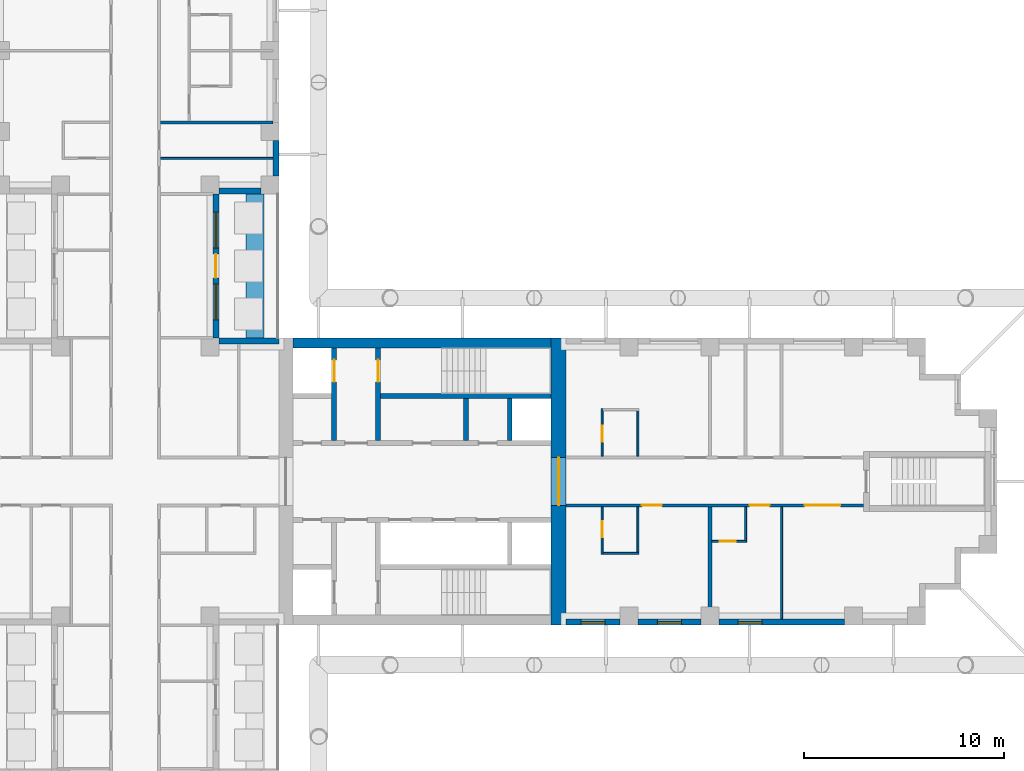
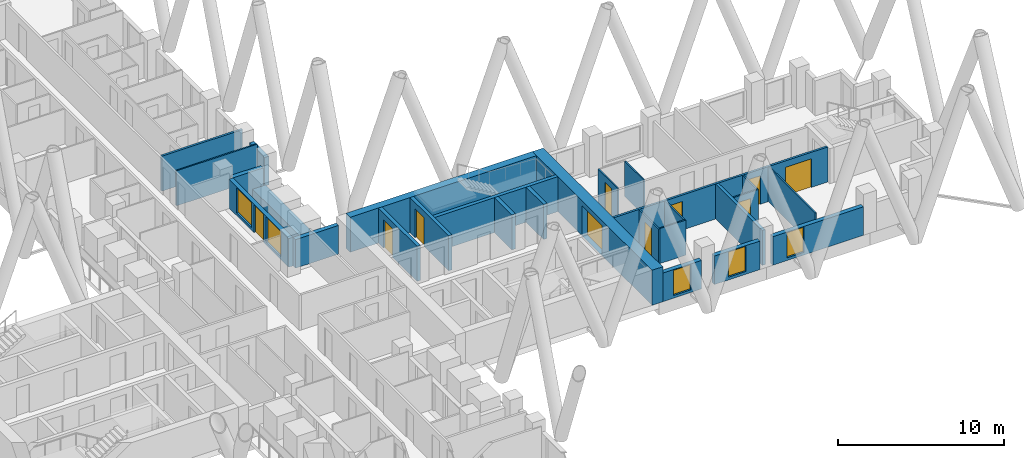
# One storey, part 10 of 17: 27 walls, 10 doors, 5 windows, 15 openings.
"""IFC4 building model written with IfcOpenShell, lengths in metres."""

import ifcopenshell
import ifcopenshell.guid

model = None  # the IFC model being written
_history = None  # IfcOwnerHistory: only IFC2X3 demands one
_inside = {}  # id of a spatial element -> (the spatial element, [elements in it])
_under = {}  # id of a project, library or spatial element -> (it, [spatial elements below it])
_declared = {}  # id of a project -> (the project, [libraries it declares])
_typed = {}  # id of a type object -> (the type object, [elements of that type])
_made_of = {}  # id of a material, layer set ... -> (it, [elements and type objects made of it])


def new_model(schema):
    """Start an empty IFC model of exactly this schema.

    Asked for "IFC4X3", IfcOpenShell would pick the latest addendum, in which some entities
    have other attributes; the version numbers below select the first issue.
    IFC2X3 requires an IfcOwnerHistory on every rooted entity: one is made here for all.
    """
    global model, _history
    if schema == "IFC4X3":
        model = ifcopenshell.file(schema_version=(4, 3, 0, 0))
    else:
        model = ifcopenshell.file(schema=schema)
    _inside.clear()
    _under.clear()
    _declared.clear()
    _typed.clear()
    _made_of.clear()
    _history = None
    if model.schema == "IFC2X3":
        org = make("IfcOrganization", Name="unknown")
        user = make(
            "IfcPersonAndOrganization",
            ThePerson=make("IfcPerson", FamilyName="unknown"),
            TheOrganization=org,
        )
        app = make(
            "IfcApplication",
            ApplicationDeveloper=org,
            Version="unknown",
            ApplicationFullName="unknown",
            ApplicationIdentifier="unknown",
        )
        _history = make(
            "IfcOwnerHistory",
            OwningUser=user,
            OwningApplication=app,
            ChangeAction="ADDED",
            CreationDate=0,
        )
    return model


def make(cls, **values):
    """One entity of the class cls with the attributes given. An attribute that is None is left unset."""
    return model.create_entity(
        cls, **{name: value for name, value in values.items() if value is not None}
    )


def rooted(cls, **values):
    """An entity with a GlobalId (a new one), such as an element, a storey or a relation."""
    return make(cls, GlobalId=ifcopenshell.guid.new(), OwnerHistory=_history, **values)


def si_unit(unit_type, name, prefix=None):
    """IfcSIUnit, for example si_unit("LENGTHUNIT", "METRE", prefix="MILLI")."""
    return make("IfcSIUnit", UnitType=unit_type, Prefix=prefix, Name=name)


def assignment(units):
    """IfcUnitAssignment: the units of a project."""
    return None if units is None else make("IfcUnitAssignment", Units=units)


def point(xyz):
    """IfcCartesianPoint."""
    return None if xyz is None else make("IfcCartesianPoint", Coordinates=xyz)


def direction(xyz):
    """IfcDirection."""
    return None if xyz is None else make("IfcDirection", DirectionRatios=xyz)


def frame(location, z_axis=None, x_axis=None):
    """IfcAxis2Placement3D, a coordinate frame: its origin and axes. An axis left out is left unset."""
    return make(
        "IfcAxis2Placement3D",
        Location=point(location),
        Axis=direction(z_axis),
        RefDirection=direction(x_axis),
    )


def frame_2d(location, x_axis=None):
    """IfcAxis2Placement2D, a coordinate frame in the plane: its origin and x axis."""
    return make(
        "IfcAxis2Placement2D", Location=point(location), RefDirection=direction(x_axis)
    )


def origin():
    """The frame at (0, 0, 0) with its axes left unset."""
    return frame((0.0, 0.0, 0.0))


def place(relative_to, where):
    """IfcLocalPlacement: puts the frame where relative to a parent placement (None: the world)."""
    return make(
        "IfcLocalPlacement", PlacementRelTo=relative_to, RelativePlacement=where
    )


def context(
    kind, dimensions, precision=None, world=None, true_north=None, identifier=None
):
    """IfcGeometricRepresentationContext, for example the 3D "Model" context."""
    return make(
        "IfcGeometricRepresentationContext",
        ContextIdentifier=identifier,
        ContextType=kind,
        CoordinateSpaceDimension=dimensions,
        Precision=precision,
        WorldCoordinateSystem=world,
        TrueNorth=true_north,
    )


def subcontext(parent, identifier, kind, view, scale=None):
    """IfcGeometricRepresentationSubContext, for example "Body" below "Model"."""
    return make(
        "IfcGeometricRepresentationSubContext",
        ContextIdentifier=identifier,
        ContextType=kind,
        ParentContext=parent,
        TargetScale=scale,
        TargetView=view,
    )


def project(units=None, contexts=None):
    """IfcProject with its units and contexts."""
    return rooted(
        "IfcProject",
        Name="project",
        RepresentationContexts=contexts,
        UnitsInContext=assignment(units),
    )


def spatial(cls, under=None, at=None, **own):
    """A site, building, storey or space (cls), placed at a placement, below another one or the project."""
    s = rooted(cls, ObjectPlacement=at, **own)
    if under is not None:
        _under.setdefault(under.id(), (under, []))[1].append(s)
    return s


def profile(cls, at=None, kind="AREA", **sizes):
    """A parametric profile (cls). Its sizes go by their IFC names, for example OverallWidth=200.0."""
    return make(cls, ProfileType=kind, Position=at, **sizes)


def rectangle(**sizes):
    """IfcRectangleProfileDef."""
    return profile("IfcRectangleProfileDef", **sizes)


def extrude(swept, where, along, depth):
    """IfcExtrudedAreaSolid: the profile swept, set in the frame where, extruded along a direction by depth."""
    return make(
        "IfcExtrudedAreaSolid",
        SweptArea=swept,
        Position=where,
        ExtrudedDirection=direction(along),
        Depth=depth,
    )


def shape(context_of_items, identifier, shape_type, items):
    """IfcShapeRepresentation: the items that make up one representation, for example the "Body"."""
    return make(
        "IfcShapeRepresentation",
        ContextOfItems=context_of_items,
        RepresentationIdentifier=identifier,
        RepresentationType=shape_type,
        Items=items,
    )


def material(Name=None, Category=None):
    """IfcMaterial."""
    return make("IfcMaterial", Name=Name, Category=Category)


def layer(
    of_material, thickness, ventilated=None, Name=None, Category=None, Priority=None
):
    """IfcMaterialLayer: one layer of a wall or slab, of a material (None: an air gap)."""
    return make(
        "IfcMaterialLayer",
        Material=of_material,
        LayerThickness=thickness,
        IsVentilated=ventilated,
        Name=Name,
        Category=Category,
        Priority=Priority,
    )


def layer_set(layers, Name=None):
    """IfcMaterialLayerSet."""
    return make("IfcMaterialLayerSet", MaterialLayers=layers, LayerSetName=Name)


def made_of(thing, what):
    """Note that an element or type object is made of a material, layer set ...; save() writes the relation."""
    if what is not None:
        _made_of.setdefault(what.id(), (what, []))[1].append(thing)
    return thing


def type_object(cls, material=None, **own):
    """A type object (cls), such as IfcWallType, which elements share."""
    return made_of(rooted(cls, **own), material)


def element(
    cls,
    number,
    at=None,
    inside=None,
    cuts=None,
    type_object=None,
    material=None,
    context=None,
    identifier="Body",
    shape_type=None,
    held_by="IfcProductDefinitionShape",
    body=None,
    shapes=None,
    **own,
):
    """One element of the class cls, such as IfcWall. Its Tag is "e" and its number.

    at: its placement. inside: the storey or other place that contains it. cuts: it is an
    opening in that element (IfcRelVoidsElement). A single representation is given by context,
    identifier, shape_type and body (its items); several are given by shapes. held_by: the class
    of the entity that holds the representations. save() writes the other relations.
    """
    e = rooted(cls, Tag="e%d" % number, ObjectPlacement=at, **own)
    if body is not None:
        shapes = [shape(context, identifier, shape_type, body)]
    if shapes is not None:
        e.Representation = make(held_by, Representations=shapes)
    if inside is not None:
        _inside.setdefault(inside.id(), (inside, []))[1].append(e)
    if cuts is not None:
        rooted(
            "IfcRelVoidsElement", RelatingBuildingElement=cuts, RelatedOpeningElement=e
        )
    if type_object is not None:
        _typed.setdefault(type_object.id(), (type_object, []))[1].append(e)
    return made_of(e, material)


def fill(opening, filler):
    """IfcRelFillsElement: the door or window that sits in an opening."""
    return rooted(
        "IfcRelFillsElement",
        RelatingOpeningElement=opening,
        RelatedBuildingElement=filler,
    )


def aggregate(whole, parts):
    """IfcRelAggregates: a whole, such as a stair, and the parts it consists of."""
    return rooted("IfcRelAggregates", RelatingObject=whole, RelatedObjects=parts)


def save(model, path):
    """Write the relations noted so far, then the file.

    IfcRelAggregates (storeys below a building ...), IfcRelContainedInSpatialStructure (elements
    in a storey), IfcRelDefinesByType, IfcRelAssociatesMaterial and IfcRelDeclares: one each for
    every whole, place, type object, material and project.
    """
    for whole, parts in _under.values():
        aggregate(whole, parts)
    for where, things in _inside.values():
        rooted(
            "IfcRelContainedInSpatialStructure",
            RelatedElements=things,
            RelatingStructure=where,
        )
    for kind, things in _typed.values():
        rooted("IfcRelDefinesByType", RelatedObjects=things, RelatingType=kind)
    for what, things in _made_of.values():
        rooted("IfcRelAssociatesMaterial", RelatedObjects=things, RelatingMaterial=what)
    for by, libraries in _declared.values():
        rooted("IfcRelDeclares", RelatingContext=by, RelatedDefinitions=libraries)
    model.write(path)


model = new_model("IFC4")

# Units and contexts
model_context = context("Model", 3, precision=1e-05, world=origin(), true_north=direction((0.0, 1.0)))
body_context = subcontext(model_context, "Body", "Model", "MODEL_VIEW")
ifc_project = project(units=[si_unit("LENGTHUNIT", "METRE"), si_unit("AREAUNIT", "SQUARE_METRE"), si_unit("VOLUMEUNIT", "CUBIC_METRE"), si_unit("PLANEANGLEUNIT", "RADIAN"), si_unit("MASSUNIT", "GRAM", prefix="KILO")], contexts=[model_context])

# Site, building, storey
site_placement = place(None, origin())
site = spatial("IfcSite", under=ifc_project, at=site_placement, CompositionType="ELEMENT")
building_placement = place(site_placement, origin())
building = spatial("IfcBuilding", under=site, at=building_placement, Name="Fustian Cross Tower", CompositionType="ELEMENT")
storey_placement = place(building_placement, frame((0.0, 0.0, 56.699951171875)))
storey = spatial("IfcBuildingStorey", under=building, at=storey_placement, Name="L17", CompositionType="ELEMENT", Elevation=56.699951171875)

# Wall
ifc_material_1 = material(Name="Plasterboard on steel stud", Category="steel")
ifc_layer_1 = layer(ifc_material_1, 0.14990234375)
ifc_layer_set_1 = layer_set([ifc_layer_1], Name="Plasterboard on steel stud")
wall_type_1 = type_object("IfcWallType", Name="COMPARTMENT WALL 150 EI 60", PredefinedType="PARTITIONING", material=ifc_layer_set_1)
wall_1_placement = place(storey_placement, frame((1.27490234375, 18.0, 0.0), z_axis=(0.0, 0.0, 1.0), x_axis=(1.0, 0.0, 0.0)))
element("IfcWall", 1, at=wall_1_placement, inside=storey, type_object=wall_type_1, Name="Partition 62", PredefinedType="PARTITIONING", context=body_context, shape_type="SweptSolid", body=[
    extrude(rectangle(XDim=5.625, YDim=0.14990234375, at=frame_2d((2.8125, 0.0))), origin(), (0.0, 0.0, 1.0), 2.574951171875),
])

# Wall, openings, doors
wall_2_placement = place(storey_placement, frame((21.60009765625, -1.199951171875, 0.0), z_axis=(0.0, 0.0, 1.0), x_axis=(1.0, 0.0, 0.0)))
wall_2 = element("IfcWall", 2, at=wall_2_placement, inside=storey, type_object=wall_type_1, Name="Partition 88", PredefinedType="PARTITIONING", context=body_context, shape_type="SweptSolid", body=[
    extrude(rectangle(XDim=14.89990234375, YDim=0.14990234375, at=frame_2d((7.449951171875, 0.0))), origin(), (0.0, 0.0, 1.0), 2.574951171875),
])
opening_1_placement = place(wall_2_placement, frame((3.800048828125, 0.0, 0.0)))
opening_1 = element("IfcOpeningElement", 3, at=opening_1_placement, cuts=wall_2, Name="Opening D09018", PredefinedType="OPENING", context=body_context, shape_type="SweptSolid", body=[
    extrude(rectangle(XDim=1.0, YDim=2.10009765625, at=frame_2d((0.5, 1.050048828125))), frame((0.0, 0.0849609375, 0.0), z_axis=(0.0, -1.0, 0.0), x_axis=(1.0, 0.0, 0.0)), (0.0, 0.0, 1.0), 0.169921875),
])
opening_2_placement = place(wall_2_placement, frame((9.199951171875, 0.0, 0.0)))
opening_2 = element("IfcOpeningElement", 4, at=opening_2_placement, cuts=wall_2, Name="Opening D09020", PredefinedType="OPENING", context=body_context, shape_type="SweptSolid", body=[
    extrude(rectangle(XDim=1.0, YDim=2.10009765625, at=frame_2d((0.5, 1.050048828125))), frame((0.0, 0.0849609375, 0.0), z_axis=(0.0, -1.0, 0.0), x_axis=(1.0, 0.0, 0.0)), (0.0, 0.0, 1.0), 0.169921875),
])
opening_3_placement = place(wall_2_placement, frame((11.949951171875, 0.0, 0.0)))
opening_3 = element("IfcOpeningElement", 5, at=opening_3_placement, cuts=wall_2, Name="Opening D09021", PredefinedType="OPENING", context=body_context, shape_type="SweptSolid", body=[
    extrude(rectangle(XDim=1.800048828125, YDim=2.10009765625, at=frame_2d((0.89990234375, 1.050048828125))), frame((0.0, 0.0849609375, 0.0), z_axis=(0.0, -1.0, 0.0), x_axis=(1.0, 0.0, 0.0)), (0.0, 0.0, 1.0), 0.169921875),
])
ifc_material_2 = material(Name="Timber fire door set", Category="wood")
door_type_1 = type_object("IfcDoorType", Name="FIRE DOUBLE DOOR 1800 FD30S", OperationType="DOUBLE_DOOR_DOUBLE_SWING", PredefinedType="DOOR", material=ifc_material_2)
door_1_placement = place(opening_3_placement, origin())
door_1 = element("IfcDoor", 6, at=door_1_placement, inside=storey, type_object=door_type_1, Name="Door D09021", OperationType="DOUBLE_DOOR_DOUBLE_SWING", OverallHeight=2.10009765625, OverallWidth=1.800048828125, PredefinedType="DOOR", context=body_context, shape_type="SweptSolid", body=[
    extrude(rectangle(XDim=1.800048828125, YDim=2.10009765625, at=frame_2d((0.89990234375, 1.050048828125))), frame((0.0, 0.02490234375, 0.0), z_axis=(0.0, -1.0, 0.0), x_axis=(1.0, 0.0, 0.0)), (0.0, 0.0, 1.0), 0.050048828125),
])
fill(opening_3, door_1)
ifc_material_3 = material(Name="Timber fire door set", Category="wood")
door_type_2 = type_object("IfcDoorType", Name="FIRE SWING DOOR 1000 FD30S", OperationType="SINGLE_SWING_LEFT", PredefinedType="DOOR", material=ifc_material_3)
door_2_placement = place(opening_1_placement, frame((1.0, 0.0, 0.0), z_axis=(0.0, 0.0, 1.0), x_axis=(-1.0, 0.0, 0.0)))
door_2 = element("IfcDoor", 7, at=door_2_placement, inside=storey, type_object=door_type_2, Name="Door D09018", OperationType="SINGLE_SWING_RIGHT", OverallHeight=2.10009765625, OverallWidth=1.0, PredefinedType="DOOR", context=body_context, shape_type="SweptSolid", body=[
    extrude(rectangle(XDim=1.0, YDim=2.10009765625, at=frame_2d((0.5, 1.050048828125))), frame((0.0, 0.02490234375, 0.0), z_axis=(0.0, -1.0, 0.0), x_axis=(1.0, 0.0, 0.0)), (0.0, 0.0, 1.0), 0.050048828125),
])
fill(opening_1, door_2)
door_3_placement = place(opening_2_placement, frame((1.0, 0.0, 0.0), z_axis=(0.0, 0.0, 1.0), x_axis=(-1.0, 0.0, 0.0)))
door_3 = element("IfcDoor", 8, at=door_3_placement, inside=storey, type_object=door_type_2, Name="Door D09020", OperationType="SINGLE_SWING_RIGHT", OverallHeight=2.10009765625, OverallWidth=1.0, PredefinedType="DOOR", context=body_context, shape_type="SweptSolid", body=[
    extrude(rectangle(XDim=1.0, YDim=2.10009765625, at=frame_2d((0.5, 1.050048828125))), frame((0.0, 0.02490234375, 0.0), z_axis=(0.0, -1.0, 0.0), x_axis=(1.0, 0.0, 0.0)), (0.0, 0.0, 1.0), 0.050048828125),
])
fill(opening_2, door_3)

# Wall, opening, door
ifc_material_4 = material(Name="Concrete C80/95", Category="concrete")
ifc_layer_2 = layer(ifc_material_4, 0.75)
ifc_layer_set_2 = layer_set([ifc_layer_2], Name="Concrete C80/95")
wall_type_2 = type_object("IfcWallType", Name="CORE END WALL 750 C80/95", PredefinedType="SHEAR", material=ifc_layer_set_2)
wall_3_placement = place(storey_placement, frame((21.22509765625, -7.199951171875, 0.0), z_axis=(0.0, 0.0, 1.0), x_axis=(0.0, 1.0, 0.0)))
wall_3 = element("IfcWall", 9, at=wall_3_placement, inside=storey, type_object=wall_type_2, Name="Core end wall", PredefinedType="SHEAR", context=body_context, shape_type="SweptSolid", body=[
    extrude(rectangle(XDim=14.39990234375, YDim=0.75, at=frame_2d((7.199951171875, 0.0))), origin(), (0.0, 0.0, 1.0), 2.574951171875),
])
opening_4_placement = place(wall_3_placement, frame((6.0, 0.0, 0.0)))
opening_4 = element("IfcOpeningElement", 10, at=opening_4_placement, cuts=wall_3, Name="Opening CD-06-13", PredefinedType="OPENING", context=body_context, shape_type="SweptSolid", body=[
    extrude(rectangle(XDim=2.39990234375, YDim=2.199951171875, at=frame_2d((1.199951171875, 1.10009765625))), frame((0.0, 0.385009765625, 0.0), z_axis=(0.0, -1.0, 0.0), x_axis=(1.0, 0.0, 0.0)), (0.0, 0.0, 1.0), 0.77001953125),
])
ifc_material_5 = material(Name="Steel", Category="steel")
door_type_3 = type_object("IfcDoorType", Name="FIRE DOOR FD30S DOUBLE 2400X2200", OperationType="DOUBLE_DOOR_DOUBLE_SWING", PredefinedType="DOOR", material=ifc_material_5)
door_4_placement = place(opening_4_placement, origin())
door_4 = element("IfcDoor", 11, at=door_4_placement, inside=storey, type_object=door_type_3, Name="Core door CD-06-13", OperationType="DOUBLE_DOOR_DOUBLE_SWING", OverallHeight=2.199951171875, OverallWidth=2.39990234375, PredefinedType="DOOR", context=body_context, shape_type="SweptSolid", body=[
    extrude(rectangle(XDim=2.39990234375, YDim=2.199951171875, at=frame_2d((1.199951171875, 1.10009765625))), frame((0.0, 0.02490234375, 0.0), z_axis=(0.0, -1.0, 0.0), x_axis=(1.0, 0.0, 0.0)), (0.0, 0.0, 1.0), 0.050048828125),
])
fill(opening_4, door_4)

# Walls
ifc_material_6 = material(Name="Concrete C80/95", Category="concrete")
ifc_layer_3 = layer(ifc_material_6, 0.5)
ifc_layer_set_3 = layer_set([ifc_layer_3], Name="Concrete C80/95")
wall_type_3 = type_object("IfcWallType", Name="CORE FACADE WALL 500 C80/95", PredefinedType="SHEAR", material=ifc_layer_set_3)
wall_4_placement = place(storey_placement, frame((7.89990234375, 6.949951171875, 0.0), z_axis=(0.0, 0.0, 1.0), x_axis=(1.0, 0.0, 0.0)))
element("IfcWall", 12, at=wall_4_placement, inside=storey, type_object=wall_type_3, Name="Core facade wall", PredefinedType="SHEAR", context=body_context, shape_type="SweptSolid", body=[
    extrude(rectangle(XDim=12.9501953125, YDim=0.5, at=frame_2d((6.47509765625, 0.0))), origin(), (0.0, 0.0, 1.0), 2.574951171875),
])
ifc_material_7 = material(Name="Concrete C50/60", Category="concrete")
ifc_layer_4 = layer(ifc_material_7, 0.25)
ifc_layer_set_4 = layer_set([ifc_layer_4], Name="Concrete C50/60")
wall_type_4 = type_object("IfcWallType", Name="CORE SHAFT WALL 250 C50/60", PredefinedType="SHEAR", material=ifc_layer_set_4)
wall_5_placement = place(storey_placement, frame((12.300048828125, 4.27490234375, 0.0), z_axis=(0.0, 0.0, 1.0), x_axis=(1.0, 0.0, 0.0)))
element("IfcWall", 13, at=wall_5_placement, inside=storey, type_object=wall_type_4, Name="Core shaft wall", PredefinedType="SHEAR", context=body_context, shape_type="SweptSolid", body=[
    extrude(rectangle(XDim=8.550048828125, YDim=0.25, at=frame_2d((4.27490234375, 0.0))), origin(), (0.0, 0.0, 1.0), 2.574951171875),
])

# Wall, opening, door
wall_6_placement = place(storey_placement, frame((9.97509765625, 2.050048828125, 0.0), z_axis=(0.0, 0.0, 1.0), x_axis=(0.0, 1.0, 0.0)))
wall_6 = element("IfcWall", 14, at=wall_6_placement, inside=storey, type_object=wall_type_4, Name="Core shaft wall", PredefinedType="SHEAR", context=body_context, shape_type="SweptSolid", body=[
    extrude(rectangle(XDim=4.64990234375, YDim=0.25, at=frame_2d((2.324951171875, 0.0))), origin(), (0.0, 0.0, 1.0), 2.574951171875),
])
opening_5_placement = place(wall_6_placement, frame((2.949951171875, 0.0, 0.0)))
opening_5 = element("IfcOpeningElement", 15, at=opening_5_placement, cuts=wall_6, Name="Opening LD", PredefinedType="OPENING", context=body_context, shape_type="SweptSolid", body=[
    extrude(rectangle(XDim=1.10009765625, YDim=2.10009765625, at=frame_2d((0.550048828125, 1.050048828125))), frame((0.0, 0.135009765625, 0.0), z_axis=(0.0, -1.0, 0.0), x_axis=(1.0, 0.0, 0.0)), (0.0, 0.0, 1.0), 0.27001953125),
])
ifc_material_8 = material(Name="Stainless steel", Category="steel")
door_type_4 = type_object("IfcDoorType", Name="LIFT LANDING DOOR 1100X2100", OperationType="SLIDING_TO_LEFT", PredefinedType="DOOR", material=ifc_material_8)
door_5_placement = place(opening_5_placement, origin())
door_5 = element("IfcDoor", 16, at=door_5_placement, inside=storey, type_object=door_type_4, Name="Landing door FL1", OperationType="SLIDING_TO_LEFT", OverallHeight=2.10009765625, OverallWidth=1.10009765625, PredefinedType="DOOR", context=body_context, shape_type="SweptSolid", body=[
    extrude(rectangle(XDim=1.10009765625, YDim=2.10009765625, at=frame_2d((0.550048828125, 1.050048828125))), frame((0.0, 0.02490234375, 0.0), z_axis=(0.0, -1.0, 0.0), x_axis=(1.0, 0.0, 0.0)), (0.0, 0.0, 1.0), 0.050048828125),
])
fill(opening_5, door_5)

wall_7_placement = place(storey_placement, frame((12.175048828125, 2.050048828125, 0.0), z_axis=(0.0, 0.0, 1.0), x_axis=(0.0, 1.0, 0.0)))
wall_7 = element("IfcWall", 17, at=wall_7_placement, inside=storey, type_object=wall_type_4, Name="Core shaft wall", PredefinedType="SHEAR", context=body_context, shape_type="SweptSolid", body=[
    extrude(rectangle(XDim=4.64990234375, YDim=0.25, at=frame_2d((2.324951171875, 0.0))), origin(), (0.0, 0.0, 1.0), 2.574951171875),
])
opening_6_placement = place(wall_7_placement, frame((2.949951171875, 0.0, 0.0)))
opening_6 = element("IfcOpeningElement", 18, at=opening_6_placement, cuts=wall_7, Name="Opening CD-06-06", PredefinedType="OPENING", context=body_context, shape_type="SweptSolid", body=[
    extrude(rectangle(XDim=1.10009765625, YDim=2.10009765625, at=frame_2d((0.550048828125, 1.050048828125))), frame((0.0, 0.135009765625, 0.0), z_axis=(0.0, -1.0, 0.0), x_axis=(1.0, 0.0, 0.0)), (0.0, 0.0, 1.0), 0.27001953125),
])
ifc_material_9 = material(Name="Steel", Category="steel")
door_type_5 = type_object("IfcDoorType", Name="FIRE DOOR FD60S 1100X2100", OperationType="SINGLE_SWING_LEFT", PredefinedType="DOOR", material=ifc_material_9)
door_6_placement = place(opening_6_placement, frame((1.10009765625, 0.0, 0.0), z_axis=(0.0, 0.0, 1.0), x_axis=(-1.0, 0.0, 0.0)))
door_6 = element("IfcDoor", 19, at=door_6_placement, inside=storey, type_object=door_type_5, Name="Core door CD-06-06", OperationType="SINGLE_SWING_RIGHT", OverallHeight=2.10009765625, OverallWidth=1.10009765625, PredefinedType="DOOR", context=body_context, shape_type="SweptSolid", body=[
    extrude(rectangle(XDim=1.10009765625, YDim=2.10009765625, at=frame_2d((0.550048828125, 1.050048828125))), frame((0.0, 0.02490234375, 0.0), z_axis=(0.0, -1.0, 0.0), x_axis=(1.0, 0.0, 0.0)), (0.0, 0.0, 1.0), 0.050048828125),
])
fill(opening_6, door_6)

# Wall
ifc_material_10 = material(Name="Plasterboard on steel stud", Category="steel")
ifc_layer_5 = layer(ifc_material_10, 0.10009765625)
ifc_layer_set_5 = layer_set([ifc_layer_5], Name="Plasterboard on steel stud")
wall_type_5 = type_object("IfcWallType", Name="PARTITION 100 STUD", PredefinedType="PARTITIONING", material=ifc_layer_set_5)
wall_8_placement = place(storey_placement, frame((1.27490234375, 16.199951171875, 0.0), z_axis=(0.0, 0.0, 1.0), x_axis=(1.0, 0.0, 0.0)))
element("IfcWall", 20, at=wall_8_placement, inside=storey, type_object=wall_type_5, Name="Partition 61", PredefinedType="PARTITIONING", context=body_context, shape_type="SweptSolid", body=[
    extrude(rectangle(XDim=5.625, YDim=0.10009765625, at=frame_2d((2.8125, 0.0))), origin(), (0.0, 0.0, 1.0), 2.574951171875),
])

# Wall, opening, door
wall_9_placement = place(storey_placement, frame((23.39990234375, -3.64990234375, 0.0), z_axis=(0.0, 0.0, 1.0), x_axis=(0.0, 1.0, 0.0)))
wall_9 = element("IfcWall", 21, at=wall_9_placement, inside=storey, type_object=wall_type_5, Name="Partition 90", PredefinedType="PARTITIONING", context=body_context, shape_type="SweptSolid", body=[
    extrude(rectangle(XDim=2.375, YDim=0.10009765625, at=frame_2d((1.1875, 0.0))), origin(), (0.0, 0.0, 1.0), 2.574951171875),
])
opening_7_placement = place(wall_9_placement, frame((0.85009765625, 0.0, 0.0)))
opening_7 = element("IfcOpeningElement", 22, at=opening_7_placement, cuts=wall_9, Name="Opening D09017", PredefinedType="OPENING", context=body_context, shape_type="SweptSolid", body=[
    extrude(rectangle(XDim=0.800048828125, YDim=2.10009765625, at=frame_2d((0.39990234375, 1.050048828125))), frame((0.0, 0.06005859375, 0.0), z_axis=(0.0, -1.0, 0.0), x_axis=(1.0, 0.0, 0.0)), (0.0, 0.0, 1.0), 0.1201171875),
])
ifc_material_11 = material(Name="Painted timber", Category="wood")
door_type_6 = type_object("IfcDoorType", Name="SWING DOOR 800", OperationType="SINGLE_SWING_LEFT", PredefinedType="DOOR", material=ifc_material_11)
door_7_placement = place(opening_7_placement, frame((0.800048828125, 0.0, 0.0), z_axis=(0.0, 0.0, 1.0), x_axis=(-1.0, 0.0, 0.0)))
door_7 = element("IfcDoor", 23, at=door_7_placement, inside=storey, type_object=door_type_6, Name="Door D09017", OperationType="SINGLE_SWING_RIGHT", OverallHeight=2.10009765625, OverallWidth=0.800048828125, PredefinedType="DOOR", context=body_context, shape_type="SweptSolid", body=[
    extrude(rectangle(XDim=0.800048828125, YDim=2.10009765625, at=frame_2d((0.39990234375, 1.050048828125))), frame((0.0, 0.02490234375, 0.0), z_axis=(0.0, -1.0, 0.0), x_axis=(1.0, 0.0, 0.0)), (0.0, 0.0, 1.0), 0.050048828125),
])
fill(opening_7, door_7)

# Wall
wall_10_placement = place(storey_placement, frame((23.449951171875, -3.60009765625, 0.0), z_axis=(0.0, 0.0, 1.0), x_axis=(1.0, 0.0, 0.0)))
element("IfcWall", 24, at=wall_10_placement, inside=storey, type_object=wall_type_5, Name="Partition 91", PredefinedType="PARTITIONING", context=body_context, shape_type="SweptSolid", body=[
    extrude(rectangle(XDim=1.800048828125, YDim=0.10009765625, at=frame_2d((0.89990234375, 0.0))), origin(), (0.0, 0.0, 1.0), 2.574951171875),
])

# Wall, opening, door
wall_11_placement = place(storey_placement, frame((23.39990234375, 1.27490234375, 0.0), z_axis=(0.0, 0.0, 1.0), x_axis=(0.0, 1.0, 0.0)))
wall_11 = element("IfcWall", 25, at=wall_11_placement, inside=storey, type_object=wall_type_5, Name="Partition 92", PredefinedType="PARTITIONING", context=body_context, shape_type="SweptSolid", body=[
    extrude(rectangle(XDim=2.375, YDim=0.10009765625, at=frame_2d((1.1875, 0.0))), origin(), (0.0, 0.0, 1.0), 2.574951171875),
])
opening_8_placement = place(wall_11_placement, frame((0.72509765625, 0.0, 0.0)))
opening_8 = element("IfcOpeningElement", 26, at=opening_8_placement, cuts=wall_11, Name="Opening D09012", PredefinedType="OPENING", context=body_context, shape_type="SweptSolid", body=[
    extrude(rectangle(XDim=0.800048828125, YDim=2.10009765625, at=frame_2d((0.39990234375, 1.050048828125))), frame((0.0, 0.06005859375, 0.0), z_axis=(0.0, -1.0, 0.0), x_axis=(1.0, 0.0, 0.0)), (0.0, 0.0, 1.0), 0.1201171875),
])
door_8_placement = place(opening_8_placement, frame((0.800048828125, 0.0, 0.0), z_axis=(0.0, 0.0, 1.0), x_axis=(-1.0, 0.0, 0.0)))
door_8 = element("IfcDoor", 27, at=door_8_placement, inside=storey, type_object=door_type_6, Name="Door D09012", OperationType="SINGLE_SWING_RIGHT", OverallHeight=2.10009765625, OverallWidth=0.800048828125, PredefinedType="DOOR", context=body_context, shape_type="SweptSolid", body=[
    extrude(rectangle(XDim=0.800048828125, YDim=2.10009765625, at=frame_2d((0.39990234375, 1.050048828125))), frame((0.0, 0.02490234375, 0.0), z_axis=(0.0, -1.0, 0.0), x_axis=(1.0, 0.0, 0.0)), (0.0, 0.0, 1.0), 0.050048828125),
])
fill(opening_8, door_8)

# Walls
for number, where, z_axis, x_axis, name in (
    (28, (25.199951171875, -3.550048828125, 0.0), (0.0, 0.0, 1.0), (0.0, 1.0, 0.0), "Partition 94"),
    (29, (25.199951171875, 1.27490234375, 0.0), (0.0, 0.0, 1.0), (0.0, 1.0, 0.0), "Partition 95"),
):
    element("IfcWall", number, at=place(storey_placement, frame(where, z_axis=z_axis, x_axis=x_axis)), inside=storey, type_object=wall_type_5, Name=name, PredefinedType="PARTITIONING", context=body_context, shape_type="SweptSolid", body=[
        extrude(rectangle(XDim=2.275146484375, YDim=0.10009765625, at=frame_2d((1.1376953125, 0.0))), origin(), (0.0, 0.0, 1.0), 2.574951171875),
    ])

# Wall, opening, door
wall_12_placement = place(storey_placement, frame((28.89990234375, -3.0, 0.0), z_axis=(0.0, 0.0, 1.0), x_axis=(1.0, 0.0, 0.0)))
wall_12 = element("IfcWall", 30, at=wall_12_placement, inside=storey, type_object=wall_type_5, Name="Partition 97", PredefinedType="PARTITIONING", context=body_context, shape_type="SweptSolid", body=[
    extrude(rectangle(XDim=1.75, YDim=0.10009765625, at=frame_2d((0.875, 0.0))), origin(), (0.0, 0.0, 1.0), 2.574951171875),
])
opening_9_placement = place(wall_12_placement, frame((0.39990234375, 0.0, 0.0)))
opening_9 = element("IfcOpeningElement", 31, at=opening_9_placement, cuts=wall_12, Name="Opening D09019", PredefinedType="OPENING", context=body_context, shape_type="SweptSolid", body=[
    extrude(rectangle(XDim=0.800048828125, YDim=2.10009765625, at=frame_2d((0.39990234375, 1.050048828125))), frame((0.0, 0.06005859375, 0.0), z_axis=(0.0, -1.0, 0.0), x_axis=(1.0, 0.0, 0.0)), (0.0, 0.0, 1.0), 0.1201171875),
])
door_9_placement = place(opening_9_placement, origin())
door_9 = element("IfcDoor", 32, at=door_9_placement, inside=storey, type_object=door_type_6, Name="Door D09019", OperationType="SINGLE_SWING_RIGHT", OverallHeight=2.10009765625, OverallWidth=0.800048828125, PredefinedType="DOOR", context=body_context, shape_type="SweptSolid", body=[
    extrude(rectangle(XDim=0.800048828125, YDim=2.10009765625, at=frame_2d((0.39990234375, 1.050048828125))), frame((0.0, 0.02490234375, 0.0), z_axis=(0.0, -1.0, 0.0), x_axis=(1.0, 0.0, 0.0)), (0.0, 0.0, 1.0), 0.050048828125),
])
fill(opening_9, door_9)

# Walls
wall_13_placement = place(storey_placement, frame((30.60009765625, -2.949951171875, 0.0), z_axis=(0.0, 0.0, 1.0), x_axis=(0.0, 1.0, 0.0)))
element("IfcWall", 33, at=wall_13_placement, inside=storey, type_object=wall_type_5, Name="Partition 99", PredefinedType="PARTITIONING", context=body_context, shape_type="SweptSolid", body=[
    extrude(rectangle(XDim=1.675048828125, YDim=0.10009765625, at=frame_2d((0.83740234375, 0.0))), origin(), (0.0, 0.0, 1.0), 2.574951171875),
])
wall_14_placement = place(storey_placement, frame((32.39990234375, -6.89990234375, 0.0), z_axis=(0.0, 0.0, 1.0), x_axis=(0.0, 1.0, 0.0)))
element("IfcWall", 34, at=wall_14_placement, inside=storey, type_object=wall_type_5, Name="Partition 101", PredefinedType="PARTITIONING", context=body_context, shape_type="SweptSolid", body=[
    extrude(rectangle(XDim=5.625, YDim=0.10009765625, at=frame_2d((2.8125, 0.0))), origin(), (0.0, 0.0, 1.0), 2.574951171875),
])
ifc_material_12 = material(Name="Plasterboard on steel stud", Category="steel")
ifc_layer_6 = layer(ifc_material_12, 0.199951171875)
ifc_layer_set_6 = layer_set([ifc_layer_6], Name="Plasterboard on steel stud")
wall_type_6 = type_object("IfcWallType", Name="PARTY WALL 200 EI 60", PredefinedType="PARTITIONING", material=ifc_layer_set_6)
wall_15_placement = place(storey_placement, frame((28.800048828125, -6.89990234375, 0.0), z_axis=(0.0, 0.0, 1.0), x_axis=(0.0, 1.0, 0.0)))
element("IfcWall", 35, at=wall_15_placement, inside=storey, type_object=wall_type_6, Name="Partition 96", PredefinedType="PARTITIONING", context=body_context, shape_type="SweptSolid", body=[
    extrude(rectangle(XDim=5.625, YDim=0.199951171875, at=frame_2d((2.8125, 0.0))), origin(), (0.0, 0.0, 1.0), 2.574951171875),
])
ifc_material_13 = material(Name="Concrete C40/50", Category="concrete")
ifc_layer_7 = layer(ifc_material_13, 0.89990234375)
ifc_layer_set_7 = layer_set([ifc_layer_7], Name="Concrete C40/50")
wall_type_7 = type_object("IfcWallType", Name="PK1 PLANTER 900", PredefinedType="PARAPET", material=ifc_layer_set_7)
wall_16_placement = place(storey_placement, frame((6.0, 7.199951171875, 0.0), z_axis=(0.0, 0.0, 1.0), x_axis=(0.0, 1.0, 0.0)))
element("IfcWall", 36, at=wall_16_placement, inside=storey, type_object=wall_type_7, Name="PLANTER", PredefinedType="PARAPET", context=body_context, shape_type="SweptSolid", body=[
    extrude(rectangle(XDim=7.199951171875, YDim=0.89990234375, at=frame_2d((3.60009765625, 0.0))), origin(), (0.0, 0.0, 1.0), 0.800048828125),
])
ifc_material_14 = material(Name="Concrete C40/50", Category="concrete")
ifc_layer_8 = layer(ifc_material_14, 0.25)
ifc_layer_set_8 = layer_set([ifc_layer_8], Name="Concrete C40/50")
wall_type_8 = type_object("IfcWallType", Name="SHAFT PARTITION WALL 250 C40/50", PredefinedType="PARTITIONING", material=ifc_layer_set_8)
for number, where, z_axis, x_axis, name in (
    (37, (16.574951171875, 2.050048828125, 0.0), (0.0, 0.0, 1.0), (0.0, 1.0, 0.0), "Core shaft wall"),
    (38, (18.77490234375, 2.050048828125, 0.0), (0.0, 0.0, 1.0), (0.0, 1.0, 0.0), "Core shaft wall"),
):
    element("IfcWall", number, at=place(storey_placement, frame(where, z_axis=z_axis, x_axis=x_axis)), inside=storey, type_object=wall_type_8, Name=name, PredefinedType="PARTITIONING", context=body_context, shape_type="SweptSolid", body=[
        extrude(rectangle(XDim=2.099853515625, YDim=0.25, at=frame_2d((1.0498046875, 0.0))), origin(), (0.0, 0.0, 1.0), 2.574951171875),
    ])

# Wall, opening, window
ifc_material_15 = material(Name="Dark aluminium cladding on insulated backing wall", Category="aluminium")
ifc_layer_9 = layer(ifc_material_15, 0.300048828125)
ifc_layer_set_9 = layer_set([ifc_layer_9], Name="Dark aluminium cladding on insulated backing wall")
wall_type_9 = type_object("IfcWallType", Name="XW1 EXTERNAL WALL 300", PredefinedType="SOLIDWALL", material=ifc_layer_set_9)
wall_17_placement = place(storey_placement, frame((21.60009765625, -7.050048828125, 0.0), z_axis=(0.0, 0.0, 1.0), x_axis=(1.0, 0.0, 0.0)))
wall_17 = element("IfcWall", 39, at=wall_17_placement, inside=storey, type_object=wall_type_9, Name="External wall", PredefinedType="SOLIDWALL", context=body_context, shape_type="SweptSolid", body=[
    extrude(rectangle(XDim=2.699951171875, YDim=0.300048828125, at=frame_2d((1.35009765625, 0.0))), origin(), (0.0, 0.0, 1.0), 2.10009765625),
])
opening_10_placement = place(wall_17_placement, frame((0.75, 0.0, 0.199951171875)))
opening_10 = element("IfcOpeningElement", 40, at=opening_10_placement, cuts=wall_17, Name="Opening WN3", PredefinedType="OPENING", context=body_context, shape_type="SweptSolid", body=[
    extrude(rectangle(XDim=1.199951171875, YDim=1.85009765625, at=frame_2d((0.60009765625, 0.925048828125))), frame((0.0, 0.159912109375, 0.0), z_axis=(0.0, -1.0, 0.0), x_axis=(1.0, 0.0, 0.0)), (0.0, 0.0, 1.0), 0.320068359375),
])
ifc_material_16 = material(Name="Dark anodised aluminium and double glazing", Category="aluminium")
window_type_1 = type_object("IfcWindowType", Name="WN3 WINDOW 1200X1850", PartitioningType="SINGLE_PANEL", PredefinedType="WINDOW", material=ifc_material_16)
window_1_placement = place(opening_10_placement, origin())
window_1 = element("IfcWindow", 41, at=window_1_placement, inside=storey, type_object=window_type_1, Name="Window", OverallHeight=1.85009765625, OverallWidth=1.199951171875, PartitioningType="SINGLE_PANEL", PredefinedType="WINDOW", context=body_context, shape_type="SweptSolid", body=[
    extrude(rectangle(XDim=1.199951171875, YDim=1.85009765625, at=frame_2d((0.60009765625, 0.925048828125))), frame((0.0, 0.030029296875, 0.0), z_axis=(0.0, -1.0, 0.0), x_axis=(1.0, 0.0, 0.0)), (0.0, 0.0, 1.0), 0.06005859375),
])
fill(opening_10, window_1)

wall_18_placement = place(storey_placement, frame((25.199951171875, -7.050048828125, 0.0), z_axis=(0.0, 0.0, 1.0), x_axis=(1.0, 0.0, 0.0)))
wall_18 = element("IfcWall", 42, at=wall_18_placement, inside=storey, type_object=wall_type_9, Name="External wall", PredefinedType="SOLIDWALL", context=body_context, shape_type="SweptSolid", body=[
    extrude(rectangle(XDim=3.150146484375, YDim=0.300048828125, at=frame_2d((1.5751953125, 0.0))), origin(), (0.0, 0.0, 1.0), 2.10009765625),
])
opening_11_placement = place(wall_18_placement, frame((0.97509765625, 0.0, 0.199951171875)))
opening_11 = element("IfcOpeningElement", 43, at=opening_11_placement, cuts=wall_18, Name="Opening WN3", PredefinedType="OPENING", context=body_context, shape_type="SweptSolid", body=[
    extrude(rectangle(XDim=1.199951171875, YDim=1.85009765625, at=frame_2d((0.60009765625, 0.925048828125))), frame((0.0, 0.159912109375, 0.0), z_axis=(0.0, -1.0, 0.0), x_axis=(1.0, 0.0, 0.0)), (0.0, 0.0, 1.0), 0.320068359375),
])
window_2_placement = place(opening_11_placement, origin())
window_2 = element("IfcWindow", 44, at=window_2_placement, inside=storey, type_object=window_type_1, Name="Window", OverallHeight=1.85009765625, OverallWidth=1.199951171875, PartitioningType="SINGLE_PANEL", PredefinedType="WINDOW", context=body_context, shape_type="SweptSolid", body=[
    extrude(rectangle(XDim=1.199951171875, YDim=1.85009765625, at=frame_2d((0.60009765625, 0.925048828125))), frame((0.0, 0.030029296875, 0.0), z_axis=(0.0, -1.0, 0.0), x_axis=(1.0, 0.0, 0.0)), (0.0, 0.0, 1.0), 0.06005859375),
])
fill(opening_11, window_2)

wall_19_placement = place(storey_placement, frame((29.25, -7.050048828125, 0.0), z_axis=(0.0, 0.0, 1.0), x_axis=(1.0, 0.0, 0.0)))
wall_19 = element("IfcWall", 45, at=wall_19_placement, inside=storey, type_object=wall_type_9, Name="External wall", PredefinedType="SOLIDWALL", context=body_context, shape_type="SweptSolid", body=[
    extrude(rectangle(XDim=6.300048828125, YDim=0.300048828125, at=frame_2d((3.14990234375, 0.0))), origin(), (0.0, 0.0, 1.0), 2.10009765625),
])
opening_12_placement = place(wall_19_placement, frame((0.97509765625, 0.0, 0.199951171875)))
opening_12 = element("IfcOpeningElement", 46, at=opening_12_placement, cuts=wall_19, Name="Opening WN3", PredefinedType="OPENING", context=body_context, shape_type="SweptSolid", body=[
    extrude(rectangle(XDim=1.199951171875, YDim=1.85009765625, at=frame_2d((0.60009765625, 0.925048828125))), frame((0.0, 0.159912109375, 0.0), z_axis=(0.0, -1.0, 0.0), x_axis=(1.0, 0.0, 0.0)), (0.0, 0.0, 1.0), 0.320068359375),
])
window_3_placement = place(opening_12_placement, origin())
window_3 = element("IfcWindow", 47, at=window_3_placement, inside=storey, type_object=window_type_1, Name="Window", OverallHeight=1.85009765625, OverallWidth=1.199951171875, PartitioningType="SINGLE_PANEL", PredefinedType="WINDOW", context=body_context, shape_type="SweptSolid", body=[
    extrude(rectangle(XDim=1.199951171875, YDim=1.85009765625, at=frame_2d((0.60009765625, 0.925048828125))), frame((0.0, 0.030029296875, 0.0), z_axis=(0.0, -1.0, 0.0), x_axis=(1.0, 0.0, 0.0)), (0.0, 0.0, 1.0), 0.06005859375),
])
fill(opening_12, window_3)

# Wall
wall_20_placement = place(storey_placement, frame((7.199951171875, 7.050048828125, 0.0), z_axis=(0.0, 0.0, 1.0), x_axis=(-1.0, 0.0, 0.0)))
element("IfcWall", 48, at=wall_20_placement, inside=storey, type_object=wall_type_9, Name="External wall", PredefinedType="SOLIDWALL", context=body_context, shape_type="SweptSolid", body=[
    extrude(rectangle(XDim=3.0, YDim=0.300048828125, at=frame_2d((1.5, 0.0))), origin(), (0.0, 0.0, 1.0), 2.10009765625),
])

# Wall, openings, door, windows
wall_21_placement = place(storey_placement, frame((4.050048828125, 7.199951171875, 0.0), z_axis=(0.0, 0.0, 1.0), x_axis=(0.0, 1.0, 0.0)))
wall_21 = element("IfcWall", 49, at=wall_21_placement, inside=storey, type_object=wall_type_9, Name="External wall", PredefinedType="SOLIDWALL", context=body_context, shape_type="SweptSolid", body=[
    extrude(rectangle(XDim=7.199951171875, YDim=0.300048828125, at=frame_2d((3.60009765625, 0.0))), origin(), (0.0, 0.0, 1.0), 2.10009765625),
])
opening_13_placement = place(wall_21_placement, frame((3.0, 0.0, 0.0)))
opening_13 = element("IfcOpeningElement", 50, at=opening_13_placement, cuts=wall_21, Name="Opening XD1", PredefinedType="OPENING", context=body_context, shape_type="SweptSolid", body=[
    extrude(rectangle(XDim=1.199951171875, YDim=2.050048828125, at=frame_2d((0.60009765625, 1.02490234375))), frame((0.0, 0.159912109375, 0.0), z_axis=(0.0, -1.0, 0.0), x_axis=(1.0, 0.0, 0.0)), (0.0, 0.0, 1.0), 0.320068359375),
])
opening_14_placement = place(wall_21_placement, frame((0.89990234375, 0.0, 0.199951171875)))
opening_14 = element("IfcOpeningElement", 51, at=opening_14_placement, cuts=wall_21, Name="Opening WN2", PredefinedType="OPENING", context=body_context, shape_type="SweptSolid", body=[
    extrude(rectangle(XDim=1.800048828125, YDim=1.85009765625, at=frame_2d((0.89990234375, 0.925048828125))), frame((0.0, 0.159912109375, 0.0), z_axis=(0.0, -1.0, 0.0), x_axis=(1.0, 0.0, 0.0)), (0.0, 0.0, 1.0), 0.320068359375),
])
opening_15_placement = place(wall_21_placement, frame((4.5, 0.0, 0.199951171875)))
opening_15 = element("IfcOpeningElement", 52, at=opening_15_placement, cuts=wall_21, Name="Opening WN2", PredefinedType="OPENING", context=body_context, shape_type="SweptSolid", body=[
    extrude(rectangle(XDim=1.800048828125, YDim=1.85009765625, at=frame_2d((0.89990234375, 0.925048828125))), frame((0.0, 0.159912109375, 0.0), z_axis=(0.0, -1.0, 0.0), x_axis=(1.0, 0.0, 0.0)), (0.0, 0.0, 1.0), 0.320068359375),
])
ifc_material_17 = material(Name="Dark anodised aluminium and double glazing", Category="aluminium")
door_type_7 = type_object("IfcDoorType", Name="ED1 BALCONY DOOR 1200X2050", OperationType="SINGLE_SWING_LEFT", PredefinedType="DOOR", material=ifc_material_17)
door_10_placement = place(opening_13_placement, origin())
door_10 = element("IfcDoor", 53, at=door_10_placement, inside=storey, type_object=door_type_7, Name="Balcony door", OperationType="SINGLE_SWING_LEFT", OverallHeight=2.050048828125, OverallWidth=1.199951171875, PredefinedType="DOOR", context=body_context, shape_type="SweptSolid", body=[
    extrude(rectangle(XDim=1.199951171875, YDim=2.050048828125, at=frame_2d((0.60009765625, 1.02490234375))), frame((0.0, 0.02490234375, 0.0), z_axis=(0.0, -1.0, 0.0), x_axis=(1.0, 0.0, 0.0)), (0.0, 0.0, 1.0), 0.050048828125),
])
fill(opening_13, door_10)
ifc_material_18 = material(Name="Dark anodised aluminium and double glazing", Category="aluminium")
window_type_2 = type_object("IfcWindowType", Name="WN2 WINDOW 1800X1850", PartitioningType="SINGLE_PANEL", PredefinedType="WINDOW", material=ifc_material_18)
window_4_placement = place(opening_14_placement, origin())
window_4 = element("IfcWindow", 54, at=window_4_placement, inside=storey, type_object=window_type_2, Name="Window", OverallHeight=1.85009765625, OverallWidth=1.800048828125, PartitioningType="SINGLE_PANEL", PredefinedType="WINDOW", context=body_context, shape_type="SweptSolid", body=[
    extrude(rectangle(XDim=1.800048828125, YDim=1.85009765625, at=frame_2d((0.89990234375, 0.925048828125))), frame((0.0, 0.030029296875, 0.0), z_axis=(0.0, -1.0, 0.0), x_axis=(1.0, 0.0, 0.0)), (0.0, 0.0, 1.0), 0.06005859375),
])
fill(opening_14, window_4)
window_5_placement = place(opening_15_placement, origin())
window_5 = element("IfcWindow", 55, at=window_5_placement, inside=storey, type_object=window_type_2, Name="Window", OverallHeight=1.85009765625, OverallWidth=1.800048828125, PartitioningType="SINGLE_PANEL", PredefinedType="WINDOW", context=body_context, shape_type="SweptSolid", body=[
    extrude(rectangle(XDim=1.800048828125, YDim=1.85009765625, at=frame_2d((0.89990234375, 0.925048828125))), frame((0.0, 0.030029296875, 0.0), z_axis=(0.0, -1.0, 0.0), x_axis=(1.0, 0.0, 0.0)), (0.0, 0.0, 1.0), 0.06005859375),
])
fill(opening_15, window_5)

# Walls
wall_22_placement = place(storey_placement, frame((4.199951171875, 14.550048828125, 0.0), z_axis=(0.0, 0.0, 1.0), x_axis=(1.0, 0.0, 0.0)))
element("IfcWall", 56, at=wall_22_placement, inside=storey, type_object=wall_type_9, Name="External wall", PredefinedType="SOLIDWALL", context=body_context, shape_type="SweptSolid", body=[
    extrude(rectangle(XDim=2.10009765625, YDim=0.300048828125, at=frame_2d((1.050048828125, 0.0))), origin(), (0.0, 0.0, 1.0), 2.10009765625),
])
wall_23_placement = place(storey_placement, frame((7.050048828125, 15.300048828125, 0.0), z_axis=(0.0, 0.0, 1.0), x_axis=(0.0, 1.0, 0.0)))
element("IfcWall", 57, at=wall_23_placement, inside=storey, type_object=wall_type_9, Name="External wall", PredefinedType="SOLIDWALL", context=body_context, shape_type="SweptSolid", body=[
    extrude(rectangle(XDim=1.800048828125, YDim=0.300048828125, at=frame_2d((0.89990234375, 0.0))), origin(), (0.0, 0.0, 1.0), 2.10009765625),
])

save(model, "model.ifc")
